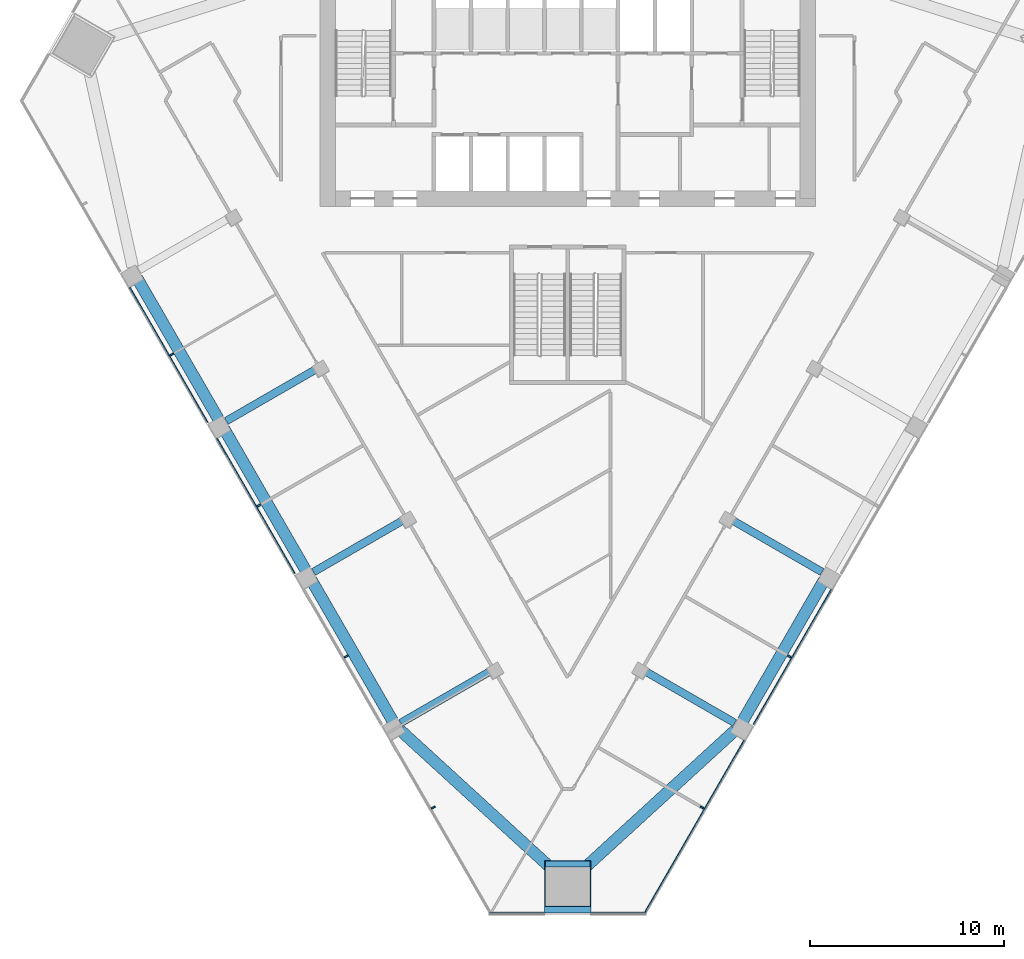
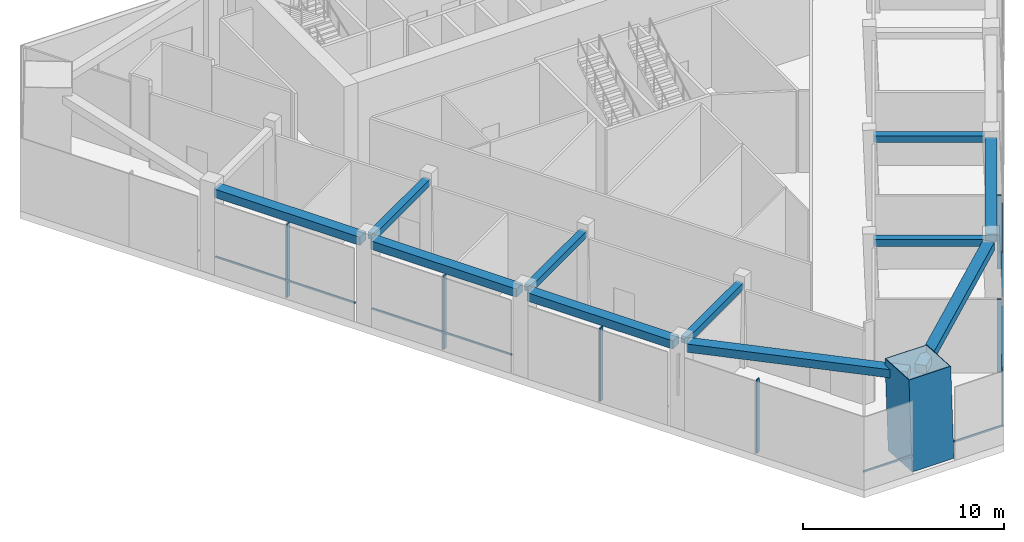
# One storey, part 2 of 12: 13 members, 11 beams, 3 elements without a shape of their own.
"""IFC4 building model written with IfcOpenShell, lengths in metres."""

import ifcopenshell
import ifcopenshell.guid

model = None  # the IFC model being written
_history = None  # IfcOwnerHistory: only IFC2X3 demands one
_inside = {}  # id of a spatial element -> (the spatial element, [elements in it])
_under = {}  # id of a project, library or spatial element -> (it, [spatial elements below it])
_declared = {}  # id of a project -> (the project, [libraries it declares])
_typed = {}  # id of a type object -> (the type object, [elements of that type])
_made_of = {}  # id of a material, layer set ... -> (it, [elements and type objects made of it])


def new_model(schema):
    """Start an empty IFC model of exactly this schema.

    Asked for "IFC4X3", IfcOpenShell would pick the latest addendum, in which some entities
    have other attributes; the version numbers below select the first issue.
    IFC2X3 requires an IfcOwnerHistory on every rooted entity: one is made here for all.
    """
    global model, _history
    if schema == "IFC4X3":
        model = ifcopenshell.file(schema_version=(4, 3, 0, 0))
    else:
        model = ifcopenshell.file(schema=schema)
    _inside.clear()
    _under.clear()
    _declared.clear()
    _typed.clear()
    _made_of.clear()
    _history = None
    if model.schema == "IFC2X3":
        org = make("IfcOrganization", Name="unknown")
        user = make(
            "IfcPersonAndOrganization",
            ThePerson=make("IfcPerson", FamilyName="unknown"),
            TheOrganization=org,
        )
        app = make(
            "IfcApplication",
            ApplicationDeveloper=org,
            Version="unknown",
            ApplicationFullName="unknown",
            ApplicationIdentifier="unknown",
        )
        _history = make(
            "IfcOwnerHistory",
            OwningUser=user,
            OwningApplication=app,
            ChangeAction="ADDED",
            CreationDate=0,
        )
    return model


def make(cls, **values):
    """One entity of the class cls with the attributes given. An attribute that is None is left unset."""
    return model.create_entity(
        cls, **{name: value for name, value in values.items() if value is not None}
    )


def rooted(cls, **values):
    """An entity with a GlobalId (a new one), such as an element, a storey or a relation."""
    return make(cls, GlobalId=ifcopenshell.guid.new(), OwnerHistory=_history, **values)


def si_unit(unit_type, name, prefix=None):
    """IfcSIUnit, for example si_unit("LENGTHUNIT", "METRE", prefix="MILLI")."""
    return make("IfcSIUnit", UnitType=unit_type, Prefix=prefix, Name=name)


def assignment(units):
    """IfcUnitAssignment: the units of a project."""
    return None if units is None else make("IfcUnitAssignment", Units=units)


def point(xyz):
    """IfcCartesianPoint."""
    return None if xyz is None else make("IfcCartesianPoint", Coordinates=xyz)


def direction(xyz):
    """IfcDirection."""
    return None if xyz is None else make("IfcDirection", DirectionRatios=xyz)


def frame(location, z_axis=None, x_axis=None):
    """IfcAxis2Placement3D, a coordinate frame: its origin and axes. An axis left out is left unset."""
    return make(
        "IfcAxis2Placement3D",
        Location=point(location),
        Axis=direction(z_axis),
        RefDirection=direction(x_axis),
    )


def frame_2d(location, x_axis=None):
    """IfcAxis2Placement2D, a coordinate frame in the plane: its origin and x axis."""
    return make(
        "IfcAxis2Placement2D", Location=point(location), RefDirection=direction(x_axis)
    )


def origin():
    """The frame at (0, 0, 0) with its axes left unset."""
    return frame((0.0, 0.0, 0.0))


def origin_2d():
    """The frame at (0, 0) in the plane with its x axis left unset."""
    return frame_2d((0.0, 0.0))


def place(relative_to, where):
    """IfcLocalPlacement: puts the frame where relative to a parent placement (None: the world)."""
    return make(
        "IfcLocalPlacement", PlacementRelTo=relative_to, RelativePlacement=where
    )


def context(
    kind, dimensions, precision=None, world=None, true_north=None, identifier=None
):
    """IfcGeometricRepresentationContext, for example the 3D "Model" context."""
    return make(
        "IfcGeometricRepresentationContext",
        ContextIdentifier=identifier,
        ContextType=kind,
        CoordinateSpaceDimension=dimensions,
        Precision=precision,
        WorldCoordinateSystem=world,
        TrueNorth=true_north,
    )


def subcontext(parent, identifier, kind, view, scale=None):
    """IfcGeometricRepresentationSubContext, for example "Body" below "Model"."""
    return make(
        "IfcGeometricRepresentationSubContext",
        ContextIdentifier=identifier,
        ContextType=kind,
        ParentContext=parent,
        TargetScale=scale,
        TargetView=view,
    )


def project(units=None, contexts=None):
    """IfcProject with its units and contexts."""
    return rooted(
        "IfcProject",
        Name="project",
        RepresentationContexts=contexts,
        UnitsInContext=assignment(units),
    )


def spatial(cls, under=None, at=None, **own):
    """A site, building, storey or space (cls), placed at a placement, below another one or the project."""
    s = rooted(cls, ObjectPlacement=at, **own)
    if under is not None:
        _under.setdefault(under.id(), (under, []))[1].append(s)
    return s


def profile(cls, at=None, kind="AREA", **sizes):
    """A parametric profile (cls). Its sizes go by their IFC names, for example OverallWidth=200.0."""
    return make(cls, ProfileType=kind, Position=at, **sizes)


def rectangle(**sizes):
    """IfcRectangleProfileDef."""
    return profile("IfcRectangleProfileDef", **sizes)


def hollow_rectangle(**sizes):
    """IfcRectangleHollowProfileDef."""
    return profile("IfcRectangleHollowProfileDef", **sizes)


def extrude(swept, where, along, depth):
    """IfcExtrudedAreaSolid: the profile swept, set in the frame where, extruded along a direction by depth."""
    return make(
        "IfcExtrudedAreaSolid",
        SweptArea=swept,
        Position=where,
        ExtrudedDirection=direction(along),
        Depth=depth,
    )


def shape(context_of_items, identifier, shape_type, items):
    """IfcShapeRepresentation: the items that make up one representation, for example the "Body"."""
    return make(
        "IfcShapeRepresentation",
        ContextOfItems=context_of_items,
        RepresentationIdentifier=identifier,
        RepresentationType=shape_type,
        Items=items,
    )


def material(Name=None, Category=None):
    """IfcMaterial."""
    return make("IfcMaterial", Name=Name, Category=Category)


def layer(
    of_material, thickness, ventilated=None, Name=None, Category=None, Priority=None
):
    """IfcMaterialLayer: one layer of a wall or slab, of a material (None: an air gap)."""
    return make(
        "IfcMaterialLayer",
        Material=of_material,
        LayerThickness=thickness,
        IsVentilated=ventilated,
        Name=Name,
        Category=Category,
        Priority=Priority,
    )


def layer_set(layers, Name=None):
    """IfcMaterialLayerSet."""
    return make("IfcMaterialLayerSet", MaterialLayers=layers, LayerSetName=Name)


def material_profile(
    of_material, cross_section, Name=None, Category=None, Priority=None
):
    """IfcMaterialProfile: a cross section and its material."""
    return make(
        "IfcMaterialProfile",
        Name=Name,
        Material=of_material,
        Profile=cross_section,
        Priority=Priority,
        Category=Category,
    )


def profile_set(profiles, Name=None, composite=None):
    """IfcMaterialProfileSet."""
    return make(
        "IfcMaterialProfileSet",
        Name=Name,
        MaterialProfiles=profiles,
        CompositeProfile=composite,
    )


def made_of(thing, what):
    """Note that an element or type object is made of a material, layer set ...; save() writes the relation."""
    if what is not None:
        _made_of.setdefault(what.id(), (what, []))[1].append(thing)
    return thing


def type_object(cls, material=None, **own):
    """A type object (cls), such as IfcWallType, which elements share."""
    return made_of(rooted(cls, **own), material)


def element(
    cls,
    number,
    at=None,
    inside=None,
    cuts=None,
    type_object=None,
    material=None,
    context=None,
    identifier="Body",
    shape_type=None,
    held_by="IfcProductDefinitionShape",
    body=None,
    shapes=None,
    **own,
):
    """One element of the class cls, such as IfcWall. Its Tag is "e" and its number.

    at: its placement. inside: the storey or other place that contains it. cuts: it is an
    opening in that element (IfcRelVoidsElement). A single representation is given by context,
    identifier, shape_type and body (its items); several are given by shapes. held_by: the class
    of the entity that holds the representations. save() writes the other relations.
    """
    e = rooted(cls, Tag="e%d" % number, ObjectPlacement=at, **own)
    if body is not None:
        shapes = [shape(context, identifier, shape_type, body)]
    if shapes is not None:
        e.Representation = make(held_by, Representations=shapes)
    if inside is not None:
        _inside.setdefault(inside.id(), (inside, []))[1].append(e)
    if cuts is not None:
        rooted(
            "IfcRelVoidsElement", RelatingBuildingElement=cuts, RelatedOpeningElement=e
        )
    if type_object is not None:
        _typed.setdefault(type_object.id(), (type_object, []))[1].append(e)
    return made_of(e, material)


def aggregate(whole, parts):
    """IfcRelAggregates: a whole, such as a stair, and the parts it consists of."""
    return rooted("IfcRelAggregates", RelatingObject=whole, RelatedObjects=parts)


def save(model, path):
    """Write the relations noted so far, then the file.

    IfcRelAggregates (storeys below a building ...), IfcRelContainedInSpatialStructure (elements
    in a storey), IfcRelDefinesByType, IfcRelAssociatesMaterial and IfcRelDeclares: one each for
    every whole, place, type object, material and project.
    """
    for whole, parts in _under.values():
        aggregate(whole, parts)
    for where, things in _inside.values():
        rooted(
            "IfcRelContainedInSpatialStructure",
            RelatedElements=things,
            RelatingStructure=where,
        )
    for kind, things in _typed.values():
        rooted("IfcRelDefinesByType", RelatedObjects=things, RelatingType=kind)
    for what, things in _made_of.values():
        rooted("IfcRelAssociatesMaterial", RelatedObjects=things, RelatingMaterial=what)
    for by, libraries in _declared.values():
        rooted("IfcRelDeclares", RelatingContext=by, RelatedDefinitions=libraries)
    model.write(path)


model = new_model("IFC4")

# Units and contexts
model_context = context("Model", 3, precision=1e-05, world=origin(), true_north=direction((0.0, 1.0)))
body_context = subcontext(model_context, "Body", "Model", "MODEL_VIEW")
ifc_project = project(units=[si_unit("LENGTHUNIT", "METRE"), si_unit("AREAUNIT", "SQUARE_METRE"), si_unit("VOLUMEUNIT", "CUBIC_METRE"), si_unit("PLANEANGLEUNIT", "RADIAN"), si_unit("MASSUNIT", "GRAM", prefix="KILO")], contexts=[model_context])

# Site, building, storey
site_placement = place(None, origin())
site = spatial("IfcSite", under=ifc_project, at=site_placement, CompositionType="ELEMENT")
building_placement = place(site_placement, origin())
building = spatial("IfcBuilding", under=site, at=building_placement, Name="Altiplano Prism Tower", CompositionType="ELEMENT")
storey_placement = place(building_placement, frame((0.0, 0.0, 118.800048828125)))
storey = spatial("IfcBuildingStorey", under=building, at=storey_placement, Name="L30", CompositionType="ELEMENT", Elevation=118.800048828125)

# Curtain wall, members
ifc_material_1 = material(Name="Aluminium and glass", Category="aluminium")
ifc_layer = layer(ifc_material_1, 0.360107421875)
ifc_layer_set = layer_set([ifc_layer], Name="Aluminium and glass")
curtain_wall_type = type_object("IfcCurtainWallType", Name="CW3 sky-lobby unitised glazing", PredefinedType="NOTDEFINED", material=ifc_layer_set)
curtain_wall_1_placement = place(storey_placement, origin())
curtain_wall_1 = element("IfcCurtainWall", 1, at=curtain_wall_1_placement, inside=storey, type_object=curtain_wall_type, Name="CW3 curtain wall south-west face L30", PredefinedType="NOTDEFINED")
ifc_material_2 = material(Name="Aluminium", Category="aluminium")
ifc_material_profile_1 = material_profile(ifc_material_2, rectangle(XDim=0.239990234375, YDim=0.080078125, at=origin_2d()), Name="CW3 mullion 80 x 240")
ifc_profile_set_1 = profile_set([ifc_material_profile_1], Name="Aluminium")
member_type_1 = type_object("IfcMemberType", Name="CW3 mullion 80 x 240", PredefinedType="MULLION", material=ifc_profile_set_1)
member_1_placement = place(storey_placement, frame((64.56103515625, 84.947265625, 0.0), z_axis=(0.0, 0.0, 1.0), x_axis=(0.866025406725, 0.499999994906, 0.0)))
member_1 = element("IfcMember", 2, at=member_1_placement, type_object=member_type_1, Name="CW3 mullion", PredefinedType="MULLION", context=body_context, shape_type="SweptSolid", body=[
    extrude(rectangle(XDim=0.239990234375, YDim=0.080078125, at=origin_2d()), origin(), (0.0, 0.0, 1.0), 4.449951171875),
])
member_2_placement = place(storey_placement, frame((69.06103515625, 77.15283203125, 0.0), z_axis=(0.0, 0.0, 1.0), x_axis=(0.866025406725, 0.499999994906, 0.0)))
member_2 = element("IfcMember", 3, at=member_2_placement, type_object=member_type_1, Name="CW3 mullion", PredefinedType="MULLION", context=body_context, shape_type="SweptSolid", body=[
    extrude(rectangle(XDim=0.239990234375, YDim=0.080078125, at=origin_2d()), origin(), (0.0, 0.0, 1.0), 4.449951171875),
])
member_3_placement = place(storey_placement, frame((73.56103515625, 69.358642578125, 0.0), z_axis=(0.0, 0.0, 1.0), x_axis=(0.866025406725, 0.499999994906, 0.0)))
member_3 = element("IfcMember", 4, at=member_3_placement, type_object=member_type_1, Name="CW3 mullion", PredefinedType="MULLION", context=body_context, shape_type="SweptSolid", body=[
    extrude(rectangle(XDim=0.239990234375, YDim=0.080078125, at=origin_2d()), origin(), (0.0, 0.0, 1.0), 4.449951171875),
])
member_4_placement = place(storey_placement, frame((78.06103515625, 61.564453125, 0.0), z_axis=(0.0, 0.0, 1.0), x_axis=(0.866025406725, 0.499999994906, 0.0)))
member_4 = element("IfcMember", 5, at=member_4_placement, type_object=member_type_1, Name="CW3 mullion", PredefinedType="MULLION", context=body_context, shape_type="SweptSolid", body=[
    extrude(rectangle(XDim=0.239990234375, YDim=0.080078125, at=origin_2d()), origin(), (0.0, 0.0, 1.0), 4.449951171875),
])

curtain_wall_2_placement = place(storey_placement, origin())
curtain_wall_2 = element("IfcCurtainWall", 6, at=curtain_wall_2_placement, inside=storey, type_object=curtain_wall_type, Name="CW3 curtain wall south-east face L30", PredefinedType="NOTDEFINED")
member_5_placement = place(storey_placement, frame((91.93896484375, 61.564453125, 0.0), z_axis=(0.0, 0.0, 1.0), x_axis=(-0.866025406725, 0.499999994906, 0.0)))
member_5 = element("IfcMember", 7, at=member_5_placement, type_object=member_type_1, Name="CW3 mullion", PredefinedType="MULLION", context=body_context, shape_type="SweptSolid", body=[
    extrude(rectangle(XDim=0.239990234375, YDim=0.080078125, at=origin_2d()), origin(), (0.0, 0.0, 1.0), 4.449951171875),
])
member_6_placement = place(storey_placement, frame((96.43896484375, 69.358642578125, 0.0), z_axis=(0.0, 0.0, 1.0), x_axis=(-0.866025406725, 0.499999994906, 0.0)))
member_6 = element("IfcMember", 8, at=member_6_placement, type_object=member_type_1, Name="CW3 mullion", PredefinedType="MULLION", context=body_context, shape_type="SweptSolid", body=[
    extrude(rectangle(XDim=0.239990234375, YDim=0.080078125, at=origin_2d()), origin(), (0.0, 0.0, 1.0), 4.449951171875),
])

# Member
ifc_material_profile_2 = material_profile(ifc_material_2, rectangle(XDim=0.070068359375, YDim=0.10009765625, at=origin_2d()), Name="CW3 transom 100 x 70")
ifc_profile_set_2 = profile_set([ifc_material_profile_2], Name="Aluminium")
member_type_2 = type_object("IfcMemberType", Name="CW3 transom 100 x 70", PredefinedType="USERDEFINED", material=ifc_profile_set_2)
member_7_placement = place(storey_placement, frame((62.3896484375, 88.398193359375, 1.099853515625), z_axis=(0.499994411706, -0.866028630163, 0.0), x_axis=(0.866028630163, 0.499994411706, 0.0)))
member_7 = element("IfcMember", 9, at=member_7_placement, type_object=member_type_2, Name="CW3 transom", ObjectType="TRANSOM", PredefinedType="USERDEFINED", context=body_context, shape_type="SweptSolid", body=[
    extrude(rectangle(XDim=0.070068359375, YDim=0.10009765625, at=origin_2d()), origin(), (0.0, 0.0, 1.0), 8.02978515625),
])

member_8_placement = place(storey_placement, frame((66.8896484375, 80.60400390625, 1.099853515625), z_axis=(0.499994411706, -0.866028630163, 0.0), x_axis=(0.866028630163, 0.499994411706, 0.0)))
member_8 = element("IfcMember", 10, at=member_8_placement, type_object=member_type_2, Name="CW3 transom", ObjectType="TRANSOM", PredefinedType="USERDEFINED", context=body_context, shape_type="SweptSolid", body=[
    extrude(rectangle(XDim=0.070068359375, YDim=0.10009765625, at=origin_2d()), origin(), (0.0, 0.0, 1.0), 8.02978515625),
])

aggregate(curtain_wall_1, [member_1, member_7, member_2, member_8, member_3, member_4])

# Curtain wall, members
curtain_wall_3_placement = place(storey_placement, origin())
curtain_wall_3 = element("IfcCurtainWall", 11, at=curtain_wall_3_placement, inside=storey, type_object=curtain_wall_type, Name="CW3 curtain wall south chamfer L30", PredefinedType="NOTDEFINED")
member_9_placement = place(storey_placement, frame((80.9814453125, 56.111328125, 1.099853515625), z_axis=(1.0, 0.0, 0.0), x_axis=(0.0, 1.0, 0.0)))
member_9 = element("IfcMember", 12, at=member_9_placement, type_object=member_type_2, Name="CW3 transom", ObjectType="TRANSOM", PredefinedType="USERDEFINED", context=body_context, shape_type="SweptSolid", body=[
    extrude(rectangle(XDim=0.070068359375, YDim=0.10009765625, at=origin_2d()), origin(), (0.0, 0.0, 1.0), 2.818603515625),
])
member_10_placement = place(storey_placement, frame((86.199951171875, 56.111328125, 1.099853515625), z_axis=(1.0, 0.0, 0.0), x_axis=(0.0, 1.0, 0.0)))
member_10 = element("IfcMember", 13, at=member_10_placement, type_object=member_type_2, Name="CW3 transom", ObjectType="TRANSOM", PredefinedType="USERDEFINED", context=body_context, shape_type="SweptSolid", body=[
    extrude(rectangle(XDim=0.070068359375, YDim=0.10009765625, at=origin_2d()), origin(), (0.0, 0.0, 1.0), 2.818603515625),
])
aggregate(curtain_wall_3, [member_9, member_10])

# Member
member_11_placement = place(storey_placement, frame((88.945068359375, 56.06884765625, 1.099853515625), z_axis=(0.499999989109, 0.866025410072, 0.0), x_axis=(-0.866025410072, 0.499999989109, 0.0)))
member_11 = element("IfcMember", 14, at=member_11_placement, type_object=member_type_2, Name="CW3 transom", ObjectType="TRANSOM", PredefinedType="USERDEFINED", context=body_context, shape_type="SweptSolid", body=[
    extrude(rectangle(XDim=0.070068359375, YDim=0.10009765625, at=origin_2d()), origin(), (0.0, 0.0, 1.0), 10.33056640625),
])

member_12_placement = place(storey_placement, frame((94.595458984375, 65.855712890625, 1.099853515625), z_axis=(0.500007577232, 0.866021029023, 0.0), x_axis=(-0.866021029023, 0.500007577232, 0.0)))
member_12 = element("IfcMember", 15, at=member_12_placement, type_object=member_type_2, Name="CW3 transom", ObjectType="TRANSOM", PredefinedType="USERDEFINED", context=body_context, shape_type="SweptSolid", body=[
    extrude(rectangle(XDim=0.070068359375, YDim=0.10009765625, at=origin_2d()), origin(), (0.0, 0.0, 1.0), 8.02978515625),
])

aggregate(curtain_wall_2, [member_5, member_11, member_6, member_12])

# Beams
ifc_material_3 = material(Name="Concrete C60/75", Category="concrete")
ifc_material_profile_3 = material_profile(ifc_material_3, rectangle(XDim=0.60009765625, YDim=0.5, at=origin_2d()), Name="Edge beam 600x500")
ifc_profile_set_3 = profile_set([ifc_material_profile_3], Name="Concrete C60/75")
beam_type_1 = type_object("IfcBeamType", Name="Edge beam 600x500", PredefinedType="SPANDREL", material=ifc_profile_set_3)
beam_1_placement = place(storey_placement, frame((62.765380859375, 88.89306640625, 4.699951171875), z_axis=(0.499997845736, -0.866026647546, 0.0), x_axis=(0.866026647546, 0.499997845736, 0.0)))
element("IfcBeam", 16, at=beam_1_placement, inside=storey, type_object=beam_type_1, Name="Edge beam P11-P12 L31", PredefinedType="SPANDREL", context=body_context, shape_type="SweptSolid", body=[
    extrude(rectangle(XDim=0.60009765625, YDim=0.5, at=origin_2d()), origin(), (0.0, 0.0, 1.0), 8.39013671875),
])
for number, where, z_axis, x_axis, name in (
    (17, (67.265380859375, 81.0986328125, 4.699951171875), (0.500010445942, -0.866019372733, 0.0), (0.866019372733, 0.500010445942, 0.0), "Edge beam P12-P13 L31"),
    (18, (71.765380859375, 73.304443359375, 4.699951171875), (0.500010445942, -0.866019372733, 0.0), (0.866019372733, 0.500010445942, 0.0), "Edge beam P13-P14 L31"),
):
    element("IfcBeam", number, at=place(storey_placement, frame(where, z_axis=z_axis, x_axis=x_axis)), inside=storey, type_object=beam_type_1, Name=name, PredefinedType="SPANDREL", context=body_context, shape_type="SweptSolid", body=[
        extrude(rectangle(XDim=0.60009765625, YDim=0.5, at=origin_2d()), origin(), (0.0, 0.0, 1.0), 8.389892578125),
    ])
for number, where, z_axis, x_axis, name in (
    (19, (76.353271484375, 65.554443359375, 4.699951171875), (0.73773562915, -0.675089728468, 0.0), (0.675089728468, 0.73773562915, 0.0), "Edge beam P14-M1 L31"),
    (20, (85.33203125, 57.94580078125, 4.699951171875), (0.73773562915, 0.675089728468, 0.0), (-0.675089728468, 0.73773562915, 0.0), "Edge beam M1-P21 L31"),
):
    element("IfcBeam", number, at=place(storey_placement, frame(where, z_axis=z_axis, x_axis=x_axis)), inside=storey, type_object=beam_type_1, Name=name, PredefinedType="SPANDREL", context=body_context, shape_type="SweptSolid", body=[
        extrude(rectangle(XDim=0.60009765625, YDim=0.5, at=origin_2d()), origin(), (0.0, 0.0, 1.0), 11.2705078125),
    ])
beam_2_placement = place(storey_placement, frame((94.03955078125, 66.03857421875, 4.699951171875), z_axis=(0.500010445942, 0.866019372733, 0.0), x_axis=(-0.866019372733, 0.500010445942, 0.0)))
element("IfcBeam", 21, at=beam_2_placement, inside=storey, type_object=beam_type_1, Name="Edge beam P21-P22 L31", PredefinedType="SPANDREL", context=body_context, shape_type="SweptSolid", body=[
    extrude(rectangle(XDim=0.60009765625, YDim=0.5, at=origin_2d()), origin(), (0.0, 0.0, 1.0), 8.389892578125),
])

# Member
ifc_material_4 = material(Name="Steel S460", Category="steel")
ifc_material_profile_4 = material_profile(ifc_material_4, hollow_rectangle(XDim=2.39990234375, YDim=2.39990234375, WallThickness=0.0400390625, at=origin_2d()), Name="Mega column tube 2400")
ifc_profile_set_4 = profile_set([ifc_material_profile_4], Name="Steel S460")
member_type_3 = type_object("IfcMemberType", Name="Mega column tube 2400", PredefinedType="POST", material=ifc_profile_set_4)
member_13_placement = place(storey_placement, frame((85.0, 57.326416015625, 0.0), z_axis=(0.0, 0.058359537448, 0.998295629755), x_axis=(-1.0, 0.0, 0.0)))
element("IfcMember", 22, at=member_13_placement, inside=storey, type_object=member_type_3, Name="Mega column tube M1 L30", PredefinedType="POST", context=body_context, shape_type="SweptSolid", body=[
    extrude(hollow_rectangle(XDim=2.39990234375, YDim=2.39990234375, WallThickness=0.0400390625, at=origin_2d()), origin(), (0.0, 0.0, 1.0), 5.4091796875),
])

# Beams
ifc_material_profile_5 = material_profile(ifc_material_3, rectangle(XDim=0.39990234375, YDim=0.39990234375, at=origin_2d()), Name="Tie beam 400x400")
ifc_profile_set_5 = profile_set([ifc_material_profile_5], Name="Concrete C60/75")
beam_type_2 = type_object("IfcBeamType", Name="Tie beam 400x400", PredefinedType="BEAM", material=ifc_profile_set_5)
for number, where, z_axis, x_axis, name in (
    (23, (72.1748046875, 84.285400390625, 4.75), (-0.866027073272, -0.499997108352, 0.0), (0.499997108352, -0.866027073272, 0.0), "Tie beam I12 L31"),
    (24, (76.6748046875, 76.4912109375, 4.75), (-0.866027073272, -0.499997108352, 0.0), (0.499997108352, -0.866027073272, 0.0), "Tie beam I13 L31"),
    (25, (81.1748046875, 68.697021484375, 4.75), (-0.866027073272, -0.499997108352, 0.0), (0.499997108352, -0.866027073272, 0.0), "Tie beam I14 L31"),
    (26, (88.8251953125, 68.697021484375, 4.75), (0.866027073272, -0.499997108352, 0.0), (0.499997108352, 0.866027073272, 0.0), "Tie beam I21 L31"),
    (27, (93.3251953125, 76.4912109375, 4.75), (0.866027073272, -0.499997108352, 0.0), (0.499997108352, 0.866027073272, 0.0), "Tie beam I22 L31"),
):
    element("IfcBeam", number, at=place(storey_placement, frame(where, z_axis=z_axis, x_axis=x_axis)), inside=storey, type_object=beam_type_2, Name=name, PredefinedType="BEAM", context=body_context, shape_type="SweptSolid", body=[
        extrude(rectangle(XDim=0.39990234375, YDim=0.39990234375, at=origin_2d()), origin(), (0.0, 0.0, 1.0), 5.5400390625),
    ])

save(model, "model.ifc")
